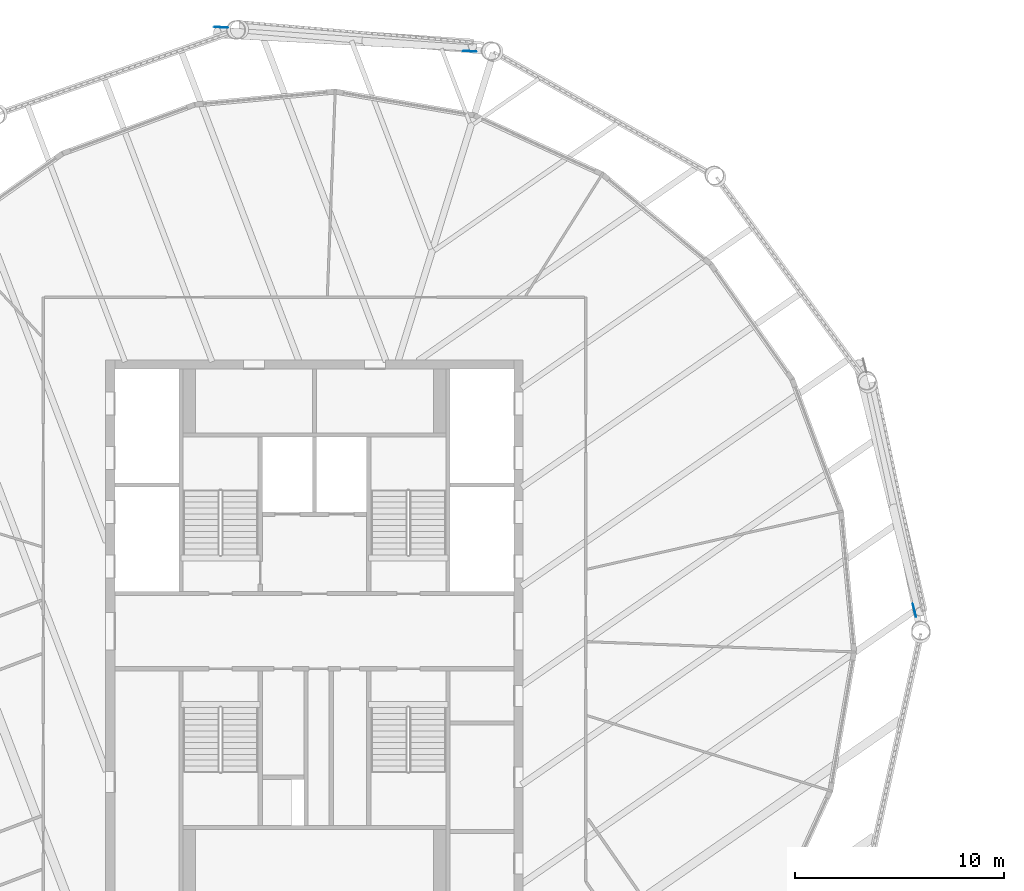
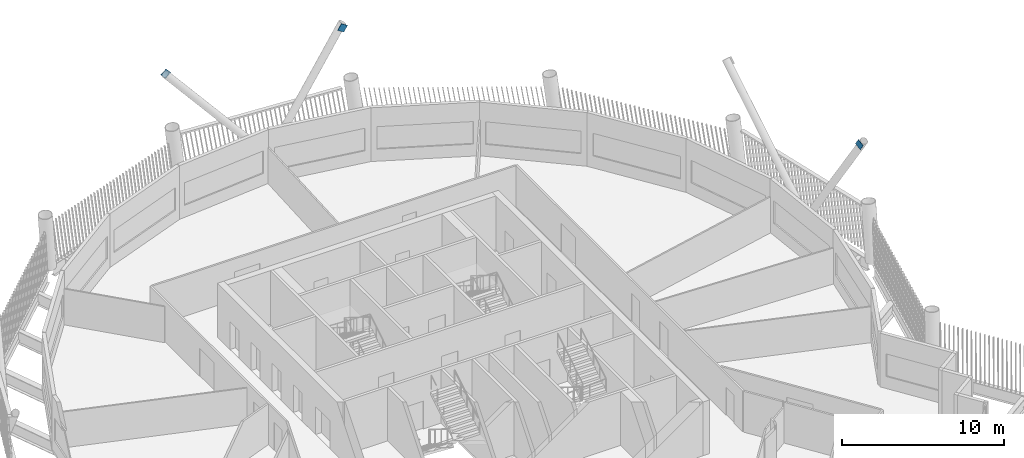
# One storey, part 25 of 33: 3 discrete accessories.
"""IFC4 building model written with IfcOpenShell, lengths in metres."""

from ifc_helpers import new_model, si_unit, direction, frame, origin, origin_2d, place, context, subcontext, project, spatial, rectangle, extrude, material, material_profile, profile_set, type_object, element, save


model = new_model("IFC4")

# Units and contexts
model_context = context("Model", 3, precision=1e-05, world=origin(), true_north=direction((0.0, 1.0)))
body_context = subcontext(model_context, "Body", "Model", "MODEL_VIEW")
ifc_project = project(units=[si_unit("LENGTHUNIT", "METRE"), si_unit("AREAUNIT", "SQUARE_METRE"), si_unit("VOLUMEUNIT", "CUBIC_METRE"), si_unit("PLANEANGLEUNIT", "RADIAN"), si_unit("MASSUNIT", "GRAM", prefix="KILO")], contexts=[model_context])

# Site, building, storey
site_placement = place(None, origin())
site = spatial("IfcSite", under=ifc_project, at=site_placement, CompositionType="ELEMENT")
building_placement = place(site_placement, origin())
building = spatial("IfcBuilding", under=site, at=building_placement, Name="Tarsis Ring Headquarters", CompositionType="ELEMENT")
storey_placement = place(building_placement, frame((0.0, 0.0, 369.199951171875)))
storey = spatial("IfcBuildingStorey", under=building, at=storey_placement, Name="L87", CompositionType="ELEMENT", Elevation=369.199951171875)

# Discrete accessories
ifc_material = material(Name="Structural steel S355", Category="steel")
ifc_material_profile = material_profile(ifc_material, rectangle(XDim=0.02490234375, YDim=0.5, at=origin_2d()), Name="PL 25x500")
ifc_profile_set = profile_set([ifc_material_profile], Name="Structural steel S355")
discrete_accessory_type = type_object("IfcDiscreteAccessoryType", Name="Gusset plate Exo brace 25", PredefinedType="BRACKET", material=ifc_profile_set)
discrete_accessory_placement = place(storey_placement, frame((28.77490234375, 0.87353515625, 8.400146484375), z_axis=(-0.127408573407, 0.502311961824, -0.855248354825), x_axis=(-0.969305637473, -0.245858864315, 0.0)))
element("IfcDiscreteAccessory", 1, at=discrete_accessory_placement, inside=storey, type_object=discrete_accessory_type, Name="Gusset plate GP5", PredefinedType="BRACKET", context=body_context, shape_type="SweptSolid", body=[
    extrude(rectangle(XDim=0.02490234375, YDim=0.5, at=origin_2d()), origin(), (0.0, 0.0, 1.0), 0.500244140625),
])
for number, where, z_axis, x_axis, name in (
    (2, (-4.64111328125, 28.939208984375, 8.400146484375), (0.647488956878, -0.035157771414, -0.761263411593), (0.054218773601, 0.998529080492, 0.0), "Gusset plate GP5"),
    (3, (7.564208984375, 27.776611328125, 8.400146484375), (-0.51749170478, 0.024898185796, -0.855325912052), (-0.048057615876, -0.998844565263, 0.0), "Gusset plate GP5"),
):
    element("IfcDiscreteAccessory", number, at=place(storey_placement, frame(where, z_axis=z_axis, x_axis=x_axis)), inside=storey, type_object=discrete_accessory_type, Name=name, PredefinedType="BRACKET", context=body_context, shape_type="SweptSolid", body=[
        extrude(rectangle(XDim=0.02490234375, YDim=0.5, at=origin_2d()), origin(), (0.0, 0.0, 1.0), 0.5),
    ])

save(model, "model.ifc")
